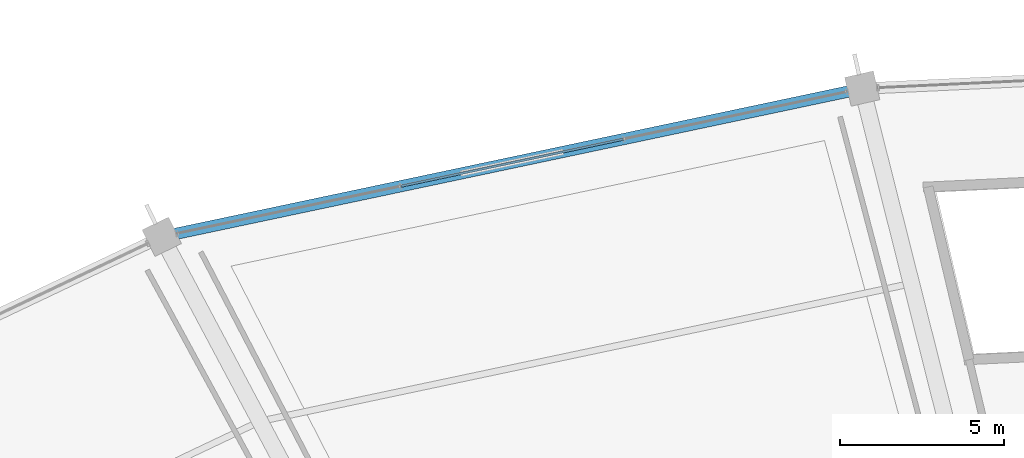
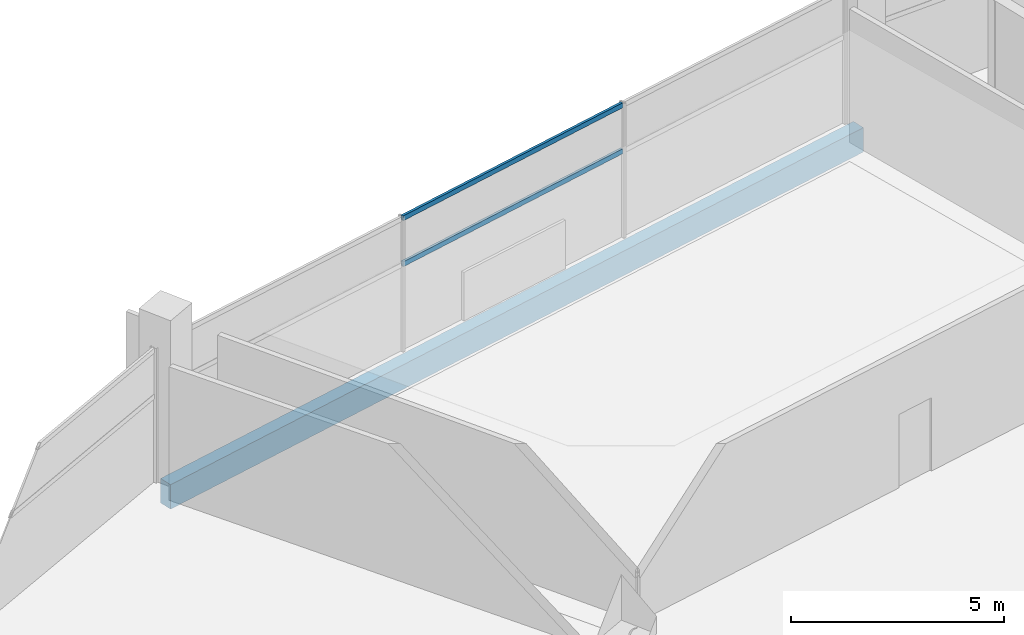
# One storey, part 78 of 156: 2 members, 1 beam, 1 element without a shape of its own.
"""IFC4 building model written with IfcOpenShell, lengths in metres."""

import ifcopenshell
import ifcopenshell.guid

model = None  # the IFC model being written
_history = None  # IfcOwnerHistory: only IFC2X3 demands one
_inside = {}  # id of a spatial element -> (the spatial element, [elements in it])
_under = {}  # id of a project, library or spatial element -> (it, [spatial elements below it])
_declared = {}  # id of a project -> (the project, [libraries it declares])
_typed = {}  # id of a type object -> (the type object, [elements of that type])
_made_of = {}  # id of a material, layer set ... -> (it, [elements and type objects made of it])


def new_model(schema):
    """Start an empty IFC model of exactly this schema.

    Asked for "IFC4X3", IfcOpenShell would pick the latest addendum, in which some entities
    have other attributes; the version numbers below select the first issue.
    IFC2X3 requires an IfcOwnerHistory on every rooted entity: one is made here for all.
    """
    global model, _history
    if schema == "IFC4X3":
        model = ifcopenshell.file(schema_version=(4, 3, 0, 0))
    else:
        model = ifcopenshell.file(schema=schema)
    _inside.clear()
    _under.clear()
    _declared.clear()
    _typed.clear()
    _made_of.clear()
    _history = None
    if model.schema == "IFC2X3":
        org = make("IfcOrganization", Name="unknown")
        user = make(
            "IfcPersonAndOrganization",
            ThePerson=make("IfcPerson", FamilyName="unknown"),
            TheOrganization=org,
        )
        app = make(
            "IfcApplication",
            ApplicationDeveloper=org,
            Version="unknown",
            ApplicationFullName="unknown",
            ApplicationIdentifier="unknown",
        )
        _history = make(
            "IfcOwnerHistory",
            OwningUser=user,
            OwningApplication=app,
            ChangeAction="ADDED",
            CreationDate=0,
        )
    return model


def make(cls, **values):
    """One entity of the class cls with the attributes given. An attribute that is None is left unset."""
    return model.create_entity(
        cls, **{name: value for name, value in values.items() if value is not None}
    )


def rooted(cls, **values):
    """An entity with a GlobalId (a new one), such as an element, a storey or a relation."""
    return make(cls, GlobalId=ifcopenshell.guid.new(), OwnerHistory=_history, **values)


def si_unit(unit_type, name, prefix=None):
    """IfcSIUnit, for example si_unit("LENGTHUNIT", "METRE", prefix="MILLI")."""
    return make("IfcSIUnit", UnitType=unit_type, Prefix=prefix, Name=name)


def assignment(units):
    """IfcUnitAssignment: the units of a project."""
    return None if units is None else make("IfcUnitAssignment", Units=units)


def point(xyz):
    """IfcCartesianPoint."""
    return None if xyz is None else make("IfcCartesianPoint", Coordinates=xyz)


def direction(xyz):
    """IfcDirection."""
    return None if xyz is None else make("IfcDirection", DirectionRatios=xyz)


def frame(location, z_axis=None, x_axis=None):
    """IfcAxis2Placement3D, a coordinate frame: its origin and axes. An axis left out is left unset."""
    return make(
        "IfcAxis2Placement3D",
        Location=point(location),
        Axis=direction(z_axis),
        RefDirection=direction(x_axis),
    )


def frame_2d(location, x_axis=None):
    """IfcAxis2Placement2D, a coordinate frame in the plane: its origin and x axis."""
    return make(
        "IfcAxis2Placement2D", Location=point(location), RefDirection=direction(x_axis)
    )


def origin():
    """The frame at (0, 0, 0) with its axes left unset."""
    return frame((0.0, 0.0, 0.0))


def origin_2d():
    """The frame at (0, 0) in the plane with its x axis left unset."""
    return frame_2d((0.0, 0.0))


def place(relative_to, where):
    """IfcLocalPlacement: puts the frame where relative to a parent placement (None: the world)."""
    return make(
        "IfcLocalPlacement", PlacementRelTo=relative_to, RelativePlacement=where
    )


def context(
    kind, dimensions, precision=None, world=None, true_north=None, identifier=None
):
    """IfcGeometricRepresentationContext, for example the 3D "Model" context."""
    return make(
        "IfcGeometricRepresentationContext",
        ContextIdentifier=identifier,
        ContextType=kind,
        CoordinateSpaceDimension=dimensions,
        Precision=precision,
        WorldCoordinateSystem=world,
        TrueNorth=true_north,
    )


def subcontext(parent, identifier, kind, view, scale=None):
    """IfcGeometricRepresentationSubContext, for example "Body" below "Model"."""
    return make(
        "IfcGeometricRepresentationSubContext",
        ContextIdentifier=identifier,
        ContextType=kind,
        ParentContext=parent,
        TargetScale=scale,
        TargetView=view,
    )


def project(units=None, contexts=None):
    """IfcProject with its units and contexts."""
    return rooted(
        "IfcProject",
        Name="project",
        RepresentationContexts=contexts,
        UnitsInContext=assignment(units),
    )


def spatial(cls, under=None, at=None, **own):
    """A site, building, storey or space (cls), placed at a placement, below another one or the project."""
    s = rooted(cls, ObjectPlacement=at, **own)
    if under is not None:
        _under.setdefault(under.id(), (under, []))[1].append(s)
    return s


def profile(cls, at=None, kind="AREA", **sizes):
    """A parametric profile (cls). Its sizes go by their IFC names, for example OverallWidth=200.0."""
    return make(cls, ProfileType=kind, Position=at, **sizes)


def rectangle(**sizes):
    """IfcRectangleProfileDef."""
    return profile("IfcRectangleProfileDef", **sizes)


def hollow_rectangle(**sizes):
    """IfcRectangleHollowProfileDef."""
    return profile("IfcRectangleHollowProfileDef", **sizes)


def extrude(swept, where, along, depth):
    """IfcExtrudedAreaSolid: the profile swept, set in the frame where, extruded along a direction by depth."""
    return make(
        "IfcExtrudedAreaSolid",
        SweptArea=swept,
        Position=where,
        ExtrudedDirection=direction(along),
        Depth=depth,
    )


def shape(context_of_items, identifier, shape_type, items):
    """IfcShapeRepresentation: the items that make up one representation, for example the "Body"."""
    return make(
        "IfcShapeRepresentation",
        ContextOfItems=context_of_items,
        RepresentationIdentifier=identifier,
        RepresentationType=shape_type,
        Items=items,
    )


def material(Name=None, Category=None):
    """IfcMaterial."""
    return make("IfcMaterial", Name=Name, Category=Category)


def layer(
    of_material, thickness, ventilated=None, Name=None, Category=None, Priority=None
):
    """IfcMaterialLayer: one layer of a wall or slab, of a material (None: an air gap)."""
    return make(
        "IfcMaterialLayer",
        Material=of_material,
        LayerThickness=thickness,
        IsVentilated=ventilated,
        Name=Name,
        Category=Category,
        Priority=Priority,
    )


def layer_set(layers, Name=None):
    """IfcMaterialLayerSet."""
    return make("IfcMaterialLayerSet", MaterialLayers=layers, LayerSetName=Name)


def material_profile(
    of_material, cross_section, Name=None, Category=None, Priority=None
):
    """IfcMaterialProfile: a cross section and its material."""
    return make(
        "IfcMaterialProfile",
        Name=Name,
        Material=of_material,
        Profile=cross_section,
        Priority=Priority,
        Category=Category,
    )


def profile_set(profiles, Name=None, composite=None):
    """IfcMaterialProfileSet."""
    return make(
        "IfcMaterialProfileSet",
        Name=Name,
        MaterialProfiles=profiles,
        CompositeProfile=composite,
    )


def made_of(thing, what):
    """Note that an element or type object is made of a material, layer set ...; save() writes the relation."""
    if what is not None:
        _made_of.setdefault(what.id(), (what, []))[1].append(thing)
    return thing


def type_object(cls, material=None, **own):
    """A type object (cls), such as IfcWallType, which elements share."""
    return made_of(rooted(cls, **own), material)


def element(
    cls,
    number,
    at=None,
    inside=None,
    cuts=None,
    type_object=None,
    material=None,
    context=None,
    identifier="Body",
    shape_type=None,
    held_by="IfcProductDefinitionShape",
    body=None,
    shapes=None,
    **own,
):
    """One element of the class cls, such as IfcWall. Its Tag is "e" and its number.

    at: its placement. inside: the storey or other place that contains it. cuts: it is an
    opening in that element (IfcRelVoidsElement). A single representation is given by context,
    identifier, shape_type and body (its items); several are given by shapes. held_by: the class
    of the entity that holds the representations. save() writes the other relations.
    """
    e = rooted(cls, Tag="e%d" % number, ObjectPlacement=at, **own)
    if body is not None:
        shapes = [shape(context, identifier, shape_type, body)]
    if shapes is not None:
        e.Representation = make(held_by, Representations=shapes)
    if inside is not None:
        _inside.setdefault(inside.id(), (inside, []))[1].append(e)
    if cuts is not None:
        rooted(
            "IfcRelVoidsElement", RelatingBuildingElement=cuts, RelatedOpeningElement=e
        )
    if type_object is not None:
        _typed.setdefault(type_object.id(), (type_object, []))[1].append(e)
    return made_of(e, material)


def aggregate(whole, parts):
    """IfcRelAggregates: a whole, such as a stair, and the parts it consists of."""
    return rooted("IfcRelAggregates", RelatingObject=whole, RelatedObjects=parts)


def save(model, path):
    """Write the relations noted so far, then the file.

    IfcRelAggregates (storeys below a building ...), IfcRelContainedInSpatialStructure (elements
    in a storey), IfcRelDefinesByType, IfcRelAssociatesMaterial and IfcRelDeclares: one each for
    every whole, place, type object, material and project.
    """
    for whole, parts in _under.values():
        aggregate(whole, parts)
    for where, things in _inside.values():
        rooted(
            "IfcRelContainedInSpatialStructure",
            RelatedElements=things,
            RelatingStructure=where,
        )
    for kind, things in _typed.values():
        rooted("IfcRelDefinesByType", RelatedObjects=things, RelatingType=kind)
    for what, things in _made_of.values():
        rooted("IfcRelAssociatesMaterial", RelatedObjects=things, RelatingMaterial=what)
    for by, libraries in _declared.values():
        rooted("IfcRelDeclares", RelatingContext=by, RelatedDefinitions=libraries)
    model.write(path)


model = new_model("IFC4")

# Units and contexts
model_context = context("Model", 3, precision=1e-05, world=origin(), true_north=direction((0.0, 1.0)))
body_context = subcontext(model_context, "Body", "Model", "MODEL_VIEW")
ifc_project = project(units=[si_unit("LENGTHUNIT", "METRE"), si_unit("AREAUNIT", "SQUARE_METRE"), si_unit("VOLUMEUNIT", "CUBIC_METRE"), si_unit("PLANEANGLEUNIT", "RADIAN"), si_unit("MASSUNIT", "GRAM", prefix="KILO")], contexts=[model_context])

# Site, building, storey
site_placement = place(None, origin())
site = spatial("IfcSite", under=ifc_project, at=site_placement, CompositionType="ELEMENT")
building_placement = place(site_placement, origin())
building = spatial("IfcBuilding", under=site, at=building_placement, Name="Kazemori Nagisa Stadium", CompositionType="ELEMENT")
storey_placement = place(building_placement, frame((0.0, 0.0, 5.780029296875)))
storey = spatial("IfcBuildingStorey", under=building, at=storey_placement, Name="L01", CompositionType="ELEMENT", Elevation=5.780029296875)

# Beam
ifc_material_1 = material(Name="Concrete C40/50 (Fc42)", Category="concrete")
ifc_material_profile_1 = material_profile(ifc_material_1, rectangle(XDim=0.35009765625, YDim=0.699951171875, at=origin_2d()), Name="RC-SP-350x700")
ifc_profile_set_1 = profile_set([ifc_material_profile_1], Name="Concrete C40/50 (Fc42)")
beam_type = type_object("IfcBeamType", Name="Beam_BS-RC350X700", PredefinedType="SPANDREL", material=ifc_profile_set_1)
beam_placement = place(storey_placement, frame((101.572265625, 186.98681640625, -0.630126953125), z_axis=(-0.97834587432, -0.206976689994, 0.0), x_axis=(0.206976689994, -0.97834587432, 0.0)))
element("IfcBeam", 1, at=beam_placement, inside=storey, type_object=beam_type, Name="Ring girder BS-RC350X700 L01 R3-09", PredefinedType="SPANDREL", context=body_context, shape_type="SweptSolid", body=[
    extrude(rectangle(XDim=0.35009765625, YDim=0.699951171875, at=origin_2d()), origin(), (0.0, 0.0, 1.0), 21.85009765625),
])

# Curtain wall, members
ifc_material_2 = material(Name="Anodised aluminium 6063-T5", Category="aluminium")
ifc_layer = layer(ifc_material_2, 0.179931640625, Name="Anodised aluminium 6063-T5", Category="aluminium")
ifc_layer_set = layer_set([ifc_layer], Name="Anodised aluminium 6063-T5")
curtain_wall_type = type_object("IfcCurtainWallType", Name="CW_L01R3_105", PredefinedType="USERDEFINED", material=ifc_layer_set)
curtain_wall_placement = place(storey_placement, origin())
curtain_wall = element("IfcCurtainWall", 2, at=curtain_wall_placement, inside=storey, type_object=curtain_wall_type, Name="Unitised curtain wall CW-L01R3-105 L01", ObjectType="UNITISED CURTAIN WALL", PredefinedType="USERDEFINED")
ifc_material_3 = material(Name="Aluminium 6063-T5 anodised", Category="aluminium")
ifc_material_profile_2 = material_profile(ifc_material_3, hollow_rectangle(XDim=0.070068359375, YDim=0.139892578125, WallThickness=0.00390625, at=origin_2d()), Name="ALU-TRAN-70x140x4")
ifc_profile_set_2 = profile_set([ifc_material_profile_2], Name="Aluminium 6063-T5 anodised")
member_type = type_object("IfcMemberType", Name="Transom_T01", PredefinedType="USERDEFINED", material=ifc_profile_set_2)
member_1_placement = place(storey_placement, frame((94.272216796875, 185.4423828125, 2.4638671875), z_axis=(-0.978348879673, -0.20696248366, 0.0), x_axis=(0.20696248366, -0.978348879673, 0.0)))
member_1 = element("IfcMember", 3, at=member_1_placement, type_object=member_type, Name="Curtain wall transom CW-L01R3-105-T2-mid", ObjectType="TRANSOM", PredefinedType="USERDEFINED", context=body_context, shape_type="SweptSolid", body=[
    extrude(hollow_rectangle(XDim=0.070068359375, YDim=0.139892578125, WallThickness=0.00390625, at=origin_2d()), origin(), (0.0, 0.0, 1.0), 6.9267578125),
])
member_2_placement = place(storey_placement, frame((94.272216796875, 185.4423828125, 3.780029296875), z_axis=(-0.978348879673, -0.20696248366, 0.0), x_axis=(0.20696248366, -0.978348879673, 0.0)))
member_2 = element("IfcMember", 4, at=member_2_placement, type_object=member_type, Name="Curtain wall transom CW-L01R3-105-T2-head", ObjectType="TRANSOM", PredefinedType="USERDEFINED", context=body_context, shape_type="SweptSolid", body=[
    extrude(hollow_rectangle(XDim=0.070068359375, YDim=0.139892578125, WallThickness=0.00390625, at=origin_2d()), origin(), (0.0, 0.0, 1.0), 6.9267578125),
])
aggregate(curtain_wall, [member_1, member_2])

save(model, "model.ifc")
